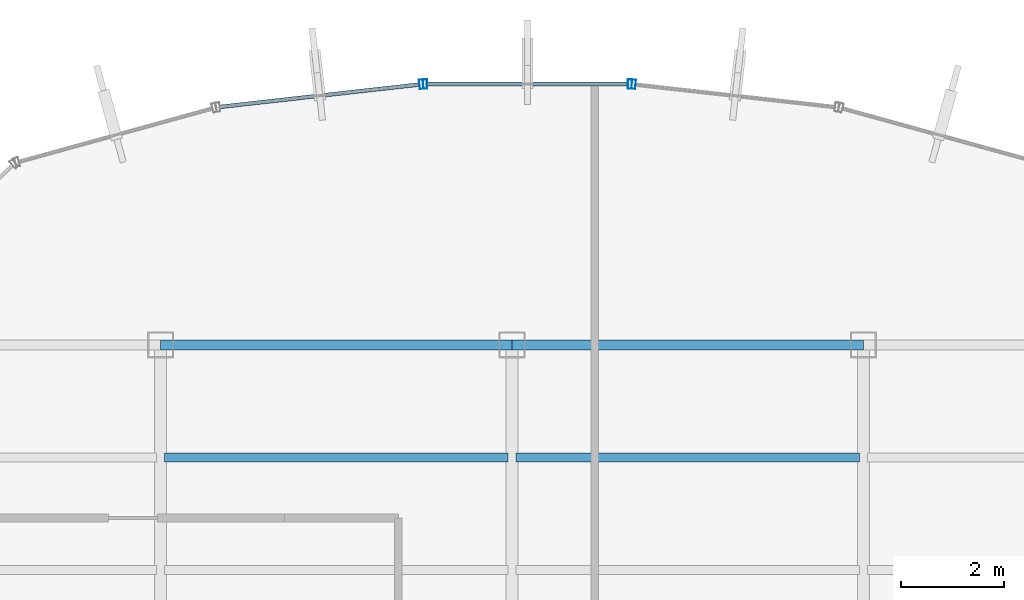
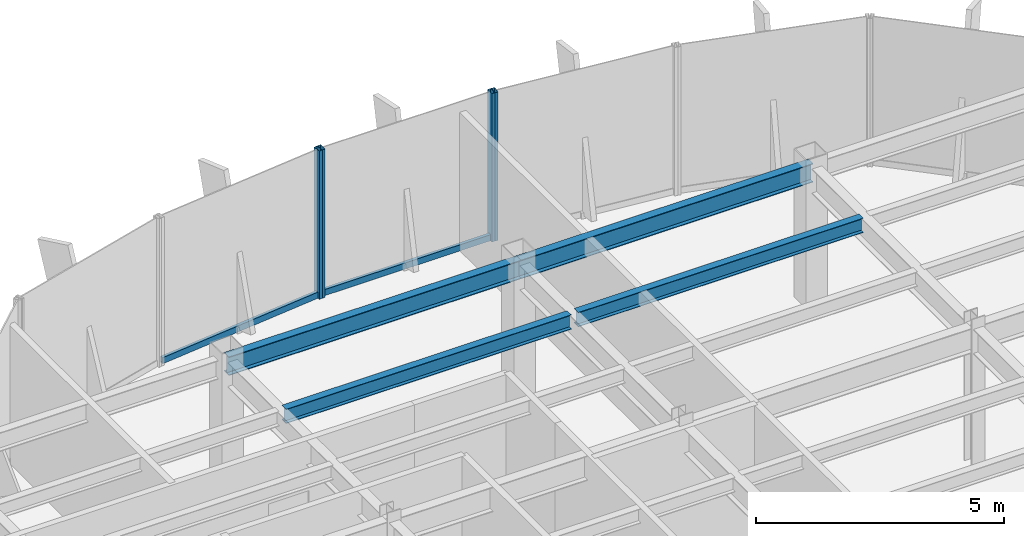
# One storey, part 13 of 22: 6 members, 4 beams, 3 elements without a shape of their own.
"""IFC4 building model written with IfcOpenShell, lengths in metres."""

from ifc_helpers import new_model, si_unit, derived_unit, direction, frame, origin, origin_2d, place, context, subcontext, project, spatial, hollow_rectangle, i_section, extrude, source, transform, mapped, material, material_profile, profile_set, type_object, element, aggregate, save


model = new_model("IFC4")

# Units and contexts
model_context = context("Model", 3, precision=1e-05, world=origin(), true_north=direction((0.0, 1.0)))
body_context = subcontext(model_context, "Body", "Model", "MODEL_VIEW")
ifc_project = project(units=[si_unit("LENGTHUNIT", "METRE"), si_unit("AREAUNIT", "SQUARE_METRE"), si_unit("VOLUMEUNIT", "CUBIC_METRE"), si_unit("PLANEANGLEUNIT", "RADIAN"), si_unit("MASSUNIT", "GRAM", prefix="KILO"), derived_unit("THERMALTRANSMITTANCEUNIT", [(si_unit("POWERUNIT", "WATT"), 1), (si_unit("LENGTHUNIT", "METRE"), -2), (si_unit("THERMODYNAMICTEMPERATUREUNIT", "KELVIN"), -1)])], contexts=[model_context])

# Site, building, storey
site_placement = place(None, origin())
site = spatial("IfcSite", under=ifc_project, at=site_placement, CompositionType="ELEMENT")
building_placement = place(site_placement, origin())
building = spatial("IfcBuilding", under=site, at=building_placement, Name="Skarnbrae Concourse Arena and Tower", CompositionType="ELEMENT")
storey_placement = place(building_placement, frame((0.0, 0.0, 192.25)))
storey = spatial("IfcBuildingStorey", under=building, at=storey_placement, Name="L49", CompositionType="ELEMENT", Elevation=192.25)

# Beams
ifc_material_1 = material(Name="Steel CSA G40.21 350W", Category="steel")
ifc_material_profile_1 = material_profile(ifc_material_1, i_section(OverallWidth=0.19091796875, OverallDepth=0.4599609375, WebThickness=0.010009765625, FlangeThickness=0.01611328125, at=origin_2d()), Name="W460X82")
ifc_profile_set_1 = profile_set([ifc_material_profile_1], Name="Steel CSA G40.21 350W")
beam_type_1 = type_object("IfcBeamType", Name="BM-SPAN-W460X82", PredefinedType="SPANDREL", material=ifc_profile_set_1)
shared_shape_1 = source(origin(), body_context, "Body", "SweptSolid", [
    extrude(i_section(OverallWidth=0.19091796875, OverallDepth=0.4599609375, WebThickness=0.010009765625, FlangeThickness=0.01611328125, at=origin_2d()), origin(), (0.0, 0.0, 1.0), 6.800048828125),
])
for number, where, z_axis, x_axis, name in (
    (1, (14.39990234375, 34.39990234375, 3.169921875), (1.0, 0.0, 0.0), (0.0, 1.0, 0.0), "L49 Perimeter spandrel Y34.4-2"),
    (2, (21.199951171875, 34.39990234375, 3.169921875), (1.0, 0.0, 0.0), (0.0, 1.0, 0.0), "L49 Perimeter spandrel Y34.4-3"),
):
    element("IfcBeam", number, at=place(storey_placement, frame(where, z_axis=z_axis, x_axis=x_axis)), inside=storey, type_object=beam_type_1, Name=name, PredefinedType="SPANDREL", context=body_context, shape_type="MappedRepresentation", body=[
        mapped(shared_shape_1, transform((0.0, 0.0, 0.0))),
    ])
ifc_material_profile_2 = material_profile(ifc_material_1, i_section(OverallWidth=0.1708984375, OverallDepth=0.35498046875, WebThickness=0.007080078125, FlangeThickness=0.01171875, at=origin_2d()), Name="W360X51")
ifc_profile_set_2 = profile_set([ifc_material_profile_2], Name="Steel CSA G40.21 350W")
beam_type_2 = type_object("IfcBeamType", Name="BM-JOIST-W360X51", PredefinedType="JOIST", material=ifc_profile_set_2)
shared_shape_2 = source(origin(), body_context, "Body", "SweptSolid", [
    extrude(i_section(OverallWidth=0.1708984375, OverallDepth=0.35498046875, WebThickness=0.007080078125, FlangeThickness=0.01171875, at=origin_2d()), origin(), (0.0, 0.0, 1.0), 6.64013671875),
])
beam_1_placement = place(storey_placement, frame((14.47998046875, 32.221923828125, 3.222412109375), z_axis=(1.0, 0.0, 0.0), x_axis=(0.0, 1.0, 0.0)))
element("IfcBeam", 3, at=beam_1_placement, inside=storey, type_object=beam_type_2, Name="L49 Secondary floor joist 3.2.2", PredefinedType="JOIST", context=body_context, shape_type="MappedRepresentation", body=[
    mapped(shared_shape_2, transform((0.0, 0.0, 0.0))),
])
shared_shape_3 = source(origin(), body_context, "Body", "SweptSolid", [
    extrude(i_section(OverallWidth=0.1708984375, OverallDepth=0.35498046875, WebThickness=0.007080078125, FlangeThickness=0.01171875, at=origin_2d()), origin(), (0.0, 0.0, 1.0), 6.639892578125),
])
beam_2_placement = place(storey_placement, frame((21.280029296875, 32.221923828125, 3.222412109375), z_axis=(1.0, 0.0, 0.0), x_axis=(0.0, 1.0, 0.0)))
element("IfcBeam", 4, at=beam_2_placement, inside=storey, type_object=beam_type_2, Name="L49 Secondary floor joist 3.2.3", PredefinedType="JOIST", context=body_context, shape_type="MappedRepresentation", body=[
    mapped(shared_shape_3, transform((0.0, 0.0, 0.0))),
])

# Curtain wall, member
ifc_material_2 = material(Name="Bronze anodised aluminium 6063-T6", Category="aluminium")
curtain_wall_type = type_object("IfcCurtainWallType", Name="CW-SYS-05-HIGHZONE", PredefinedType="USERDEFINED", material=ifc_material_2)
curtain_wall_1_placement = place(storey_placement, origin())
curtain_wall_1 = element("IfcCurtainWall", 5, at=curtain_wall_1_placement, inside=storey, type_object=curtain_wall_type, Name="L49 Unitised curtain wall CW-L49-E10", ObjectType="UNITISED CURTAIN WALL", PredefinedType="USERDEFINED")
ifc_material_profile_3 = material_profile(ifc_material_2, hollow_rectangle(XDim=0.074951171875, YDim=0.179931640625, WallThickness=0.00390625, at=origin_2d()), Name="ALU-MULL-75X180")
ifc_profile_set_3 = profile_set([ifc_material_profile_3], Name="Bronze anodised aluminium 6063-T6")
member_type_1 = type_object("IfcMemberType", Name="CWM-CW-05", PredefinedType="MULLION", material=ifc_profile_set_3)
shared_shape_4 = source(origin(), body_context, "Body", "SweptSolid", [
    extrude(hollow_rectangle(XDim=0.074951171875, YDim=0.179931640625, WallThickness=0.00390625, at=origin_2d()), origin(), (0.0, 0.0, 1.0), 3.64990234375),
])
member_1_placement = place(storey_placement, frame((23.554443359375, 39.4423828125, 0.0), z_axis=(0.0, 0.0, 1.0), x_axis=(-0.993768891873, 0.111460259941, 0.0)))
member_1 = element("IfcMember", 6, at=member_1_placement, type_object=member_type_1, Name="CW-L49-E10 Mullion 2", PredefinedType="MULLION", context=body_context, shape_type="MappedRepresentation", body=[
    mapped(shared_shape_4, transform((0.0, 0.0, 0.0))),
])
aggregate(curtain_wall_1, [member_1])

# Curtain wall, members
curtain_wall_2_placement = place(storey_placement, origin())
curtain_wall_2 = element("IfcCurtainWall", 7, at=curtain_wall_2_placement, inside=storey, type_object=curtain_wall_type, Name="L49 Unitised curtain wall CW-L49-E11", ObjectType="UNITISED CURTAIN WALL", PredefinedType="USERDEFINED")
member_2_placement = place(storey_placement, frame((23.479736328125, 39.44677734375, 0.0), z_axis=(0.0, 0.0, 1.0), x_axis=(-1.0, 0.0, 0.0)))
member_2 = element("IfcMember", 8, at=member_2_placement, type_object=member_type_1, Name="CW-L49-E11 Mullion 1", PredefinedType="MULLION", context=body_context, shape_type="MappedRepresentation", body=[
    mapped(shared_shape_4, transform((0.0, 0.0, 0.0))),
])
member_3_placement = place(storey_placement, frame((19.520263671875, 39.44677734375, 0.0), z_axis=(0.0, 0.0, 1.0), x_axis=(-1.0, 0.0, 0.0)))
member_3 = element("IfcMember", 9, at=member_3_placement, type_object=member_type_1, Name="CW-L49-E11 Mullion 2", PredefinedType="MULLION", context=body_context, shape_type="MappedRepresentation", body=[
    mapped(shared_shape_4, transform((0.0, 0.0, 0.0))),
])

curtain_wall_3_placement = place(storey_placement, origin())
curtain_wall_3 = element("IfcCurtainWall", 10, at=curtain_wall_3_placement, inside=storey, type_object=curtain_wall_type, Name="L49 Unitised curtain wall CW-L49-E12", ObjectType="UNITISED CURTAIN WALL", PredefinedType="USERDEFINED")
member_4_placement = place(storey_placement, frame((19.445556640625, 39.4423828125, 0.0), z_axis=(0.0, 0.0, 1.0), x_axis=(-0.993768891873, -0.111460259941, 0.0)))
member_4 = element("IfcMember", 11, at=member_4_placement, type_object=member_type_1, Name="CW-L49-E12 Mullion 1", PredefinedType="MULLION", context=body_context, shape_type="MappedRepresentation", body=[
    mapped(shared_shape_4, transform((0.0, 0.0, 0.0))),
])
ifc_material_profile_4 = material_profile(ifc_material_2, hollow_rectangle(XDim=0.074951171875, YDim=0.14990234375, WallThickness=0.00390625, at=origin_2d()), Name="ALU-TRAN-75X150")
ifc_profile_set_4 = profile_set([ifc_material_profile_4], Name="Bronze anodised aluminium 6063-T6")
member_type_2 = type_object("IfcMemberType", Name="CWT-CW-05", PredefinedType="USERDEFINED", material=ifc_profile_set_4)
shared_shape_5 = source(origin(), body_context, "Body", "SweptSolid", [
    extrude(hollow_rectangle(XDim=0.074951171875, YDim=0.14990234375, WallThickness=0.00390625, at=origin_2d()), origin(), (0.0, 0.0, 1.0), 3.8837890625),
])
member_5_placement = place(storey_placement, frame((19.408203125, 39.438232421875, 0.074951171875), z_axis=(-0.993776714154, -0.111390495128, 0.0), x_axis=(0.111390495128, -0.993776714154, 0.0)))
member_5 = element("IfcMember", 12, at=member_5_placement, type_object=member_type_2, Name="CW-L49-E12 Transom 1", ObjectType="TRANSOM", PredefinedType="USERDEFINED", context=body_context, shape_type="MappedRepresentation", body=[
    mapped(shared_shape_5, transform((0.0, 0.0, 0.0))),
])
aggregate(curtain_wall_3, [member_4, member_5])

# Member
shared_shape_6 = source(origin(), body_context, "Body", "SweptSolid", [
    extrude(hollow_rectangle(XDim=0.074951171875, YDim=0.14990234375, WallThickness=0.00390625, at=origin_2d()), origin(), (0.0, 0.0, 1.0), 3.88427734375),
])
member_6_placement = place(storey_placement, frame((23.442138671875, 39.44677734375, 0.074951171875), z_axis=(-1.0, 0.0, 0.0), x_axis=(0.0, -1.0, 0.0)))
member_6 = element("IfcMember", 13, at=member_6_placement, type_object=member_type_2, Name="CW-L49-E11 Transom 1", ObjectType="TRANSOM", PredefinedType="USERDEFINED", context=body_context, shape_type="MappedRepresentation", body=[
    mapped(shared_shape_6, transform((0.0, 0.0, 0.0))),
])

aggregate(curtain_wall_2, [member_2, member_3, member_6])

save(model, "model.ifc")
